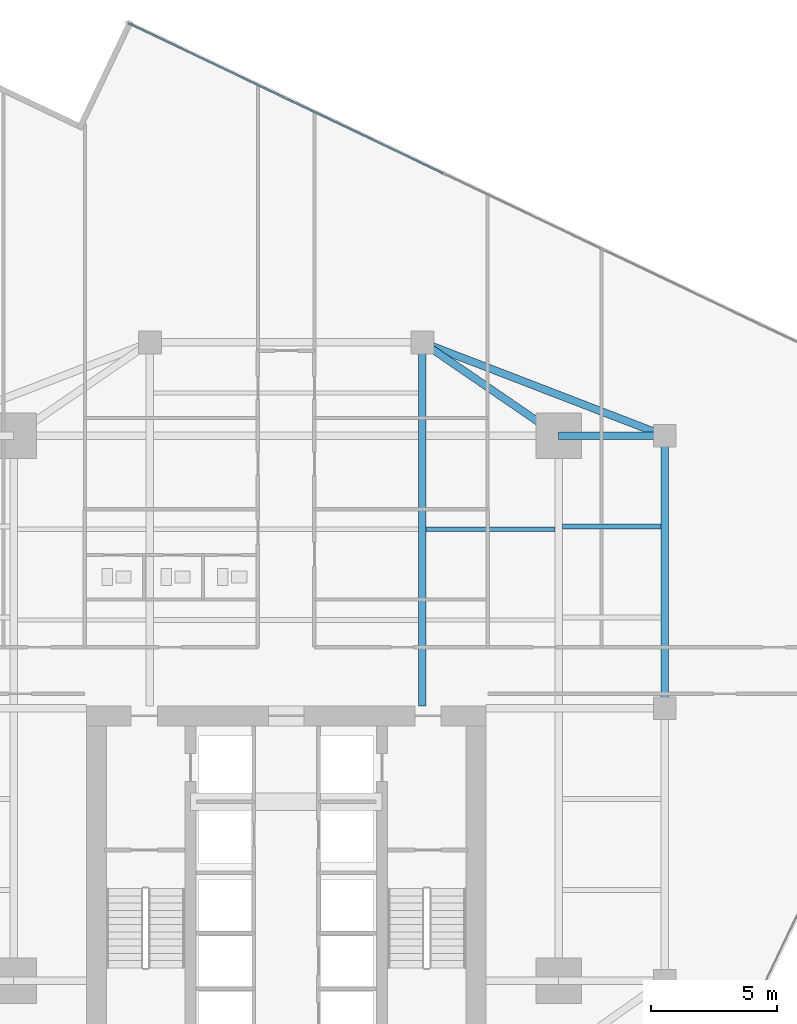
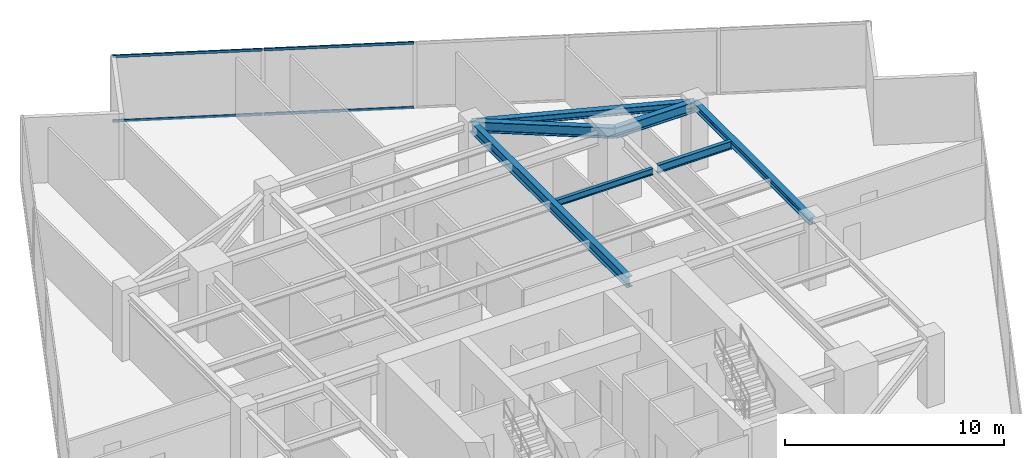
# One storey, part 17 of 25: 7 beams, 4 members, 1 element without a shape of its own.
"""IFC4 building model written with IfcOpenShell, lengths in metres."""

from ifc_helpers import new_model, si_unit, direction, frame, origin, origin_2d, place, context, subcontext, project, spatial, hollow_rectangle, i_section, extrude, source, transform, mapped, material, material_profile, profile_set, type_object, type_shapes, element, aggregate, save


model = new_model("IFC4")

# Units and contexts
model_context = context("Model", 3, precision=1e-05, world=origin(), true_north=direction((0.0, 1.0)))
body_context = subcontext(model_context, "Body", "Model", "MODEL_VIEW")
ifc_project = project(units=[si_unit("LENGTHUNIT", "METRE"), si_unit("AREAUNIT", "SQUARE_METRE"), si_unit("VOLUMEUNIT", "CUBIC_METRE"), si_unit("PLANEANGLEUNIT", "RADIAN"), si_unit("MASSUNIT", "GRAM", prefix="KILO")], contexts=[model_context])

# Site, building, storey
site_placement = place(None, origin())
site = spatial("IfcSite", under=ifc_project, at=site_placement, CompositionType="ELEMENT")
building_placement = place(site_placement, origin())
building = spatial("IfcBuilding", under=site, at=building_placement, Name="Krantzveldt Concourse Tower", CompositionType="ELEMENT")
storey_placement = place(building_placement, frame((0.0, 0.0, 146.199951171875)))
storey = spatial("IfcBuildingStorey", under=building, at=storey_placement, Name="L35", CompositionType="ELEMENT", Elevation=146.199951171875)

# Beams
ifc_material_1 = material(Name="Steel S355JR", Category="steel")
ifc_material_profile_1 = material_profile(ifc_material_1, i_section(OverallWidth=0.300048828125, OverallDepth=0.590087890625, WebThickness=0.012939453125, FlangeThickness=0.02490234375, FilletRadius=0.027099609375, at=origin_2d()), Name="Steel S355JR", Category="steel")
ifc_profile_set_1 = profile_set([ifc_material_profile_1], Name="Steel S355JR - HEA 600")
beam_type_1 = type_object("IfcBeamType", Name="BM-B-HEA600", PredefinedType="BEAM", material=ifc_profile_set_1)
shared_shape_1 = source(origin(), body_context, "Body", "SweptSolid", [
    extrude(i_section(OverallWidth=0.300048828125, OverallDepth=0.590087890625, WebThickness=0.012939453125, FlangeThickness=0.02490234375, FilletRadius=0.027099609375, at=origin_2d()), origin(), (0.0, 0.0, 1.0), 14.39990234375),
])
beam_1_placement = place(storey_placement, frame((41.39990234375, 26.800048828125, 3.375), z_axis=(0.0, 1.0, 0.0), x_axis=(-1.0, 0.0, 0.0)))
element("IfcBeam", 1, at=beam_1_placement, inside=storey, type_object=beam_type_1, Name="L35 Tower Girder BG-CNE", PredefinedType="BEAM", context=body_context, shape_type="MappedRepresentation", body=[
    mapped(shared_shape_1, transform((0.0, 0.0, 0.0), x_axis=(1.0, 0.0, 0.0), y_axis=(0.0, 1.0, 0.0), z_axis=(0.0, 0.0, 1.0), scale=1.0)),
])
shared_shape_2 = source(origin(), body_context, "Body", "SweptSolid", [
    extrude(i_section(OverallWidth=0.300048828125, OverallDepth=0.590087890625, WebThickness=0.012939453125, FlangeThickness=0.02490234375, FilletRadius=0.027099609375, at=origin_2d()), origin(), (0.0, 0.0, 1.0), 4.199951171875),
])
beam_2_placement = place(storey_placement, frame((46.800048828125, 37.5, 3.375), z_axis=(1.0, 0.0, 0.0), x_axis=(0.0, 1.0, 0.0)))
element("IfcBeam", 2, at=beam_2_placement, inside=storey, type_object=beam_type_1, Name="L35 Tower Girder BR-RR3", PredefinedType="BEAM", context=body_context, shape_type="MappedRepresentation", body=[
    mapped(shared_shape_2, transform((0.0, 0.0, 0.0), x_axis=(1.0, 0.0, 0.0), y_axis=(0.0, 1.0, 0.0), z_axis=(0.0, 0.0, 1.0), scale=1.0)),
])
shared_shape_3 = source(origin(), body_context, "Body", "SweptSolid", [
    extrude(i_section(OverallWidth=0.300048828125, OverallDepth=0.590087890625, WebThickness=0.012939453125, FlangeThickness=0.02490234375, FilletRadius=0.027099609375, at=origin_2d()), origin(), (0.0, 0.0, 1.0), 6.546142578125),
])
type_shapes(beam_type_1, [shared_shape_1, shared_shape_2, shared_shape_3])
beam_3_placement = place(storey_placement, frame((46.800048828125, 37.5, 3.375), z_axis=(-0.824942999484, 0.565215930068, 0.0), x_axis=(-0.565215930068, -0.824942999484, 0.0)))
element("IfcBeam", 3, at=beam_3_placement, inside=storey, type_object=beam_type_1, Name="L35 Tower Girder BR-RR4", PredefinedType="BEAM", context=body_context, shape_type="MappedRepresentation", body=[
    mapped(shared_shape_3, transform((0.0, 0.0, 0.0), x_axis=(1.0, 0.0, 0.0), y_axis=(0.0, 1.0, 0.0), z_axis=(0.0, 0.0, 1.0), scale=1.0)),
])
ifc_material_profile_2 = material_profile(ifc_material_1, i_section(OverallWidth=0.300048828125, OverallDepth=0.389892578125, WebThickness=0.010986328125, FlangeThickness=0.01904296875, FilletRadius=0.027099609375, at=origin_2d()), Name="Steel S355JR", Category="steel")
ifc_profile_set_2 = profile_set([ifc_material_profile_2], Name="Steel S355JR - HEA 400")
beam_type_2 = type_object("IfcBeamType", Name="BM-SP-HEA400", PredefinedType="SPANDREL", material=ifc_profile_set_2)
shared_shape_4 = source(origin(), body_context, "Body", "SweptSolid", [
    extrude(i_section(OverallWidth=0.300048828125, OverallDepth=0.389892578125, WebThickness=0.010986328125, FlangeThickness=0.01904296875, FilletRadius=0.027099609375, at=origin_2d()), origin(), (0.0, 0.0, 1.0), 10.800048828125),
])
beam_4_placement = place(storey_placement, frame((51.0, 37.5, 3.47509765625), z_axis=(0.0, -1.0, 0.0), x_axis=(1.0, 0.0, 0.0)))
element("IfcBeam", 4, at=beam_4_placement, inside=storey, type_object=beam_type_2, Name="L35 Tower Girder SP-R06", PredefinedType="SPANDREL", context=body_context, shape_type="MappedRepresentation", body=[
    mapped(shared_shape_4, transform((0.0, 0.0, 0.0), x_axis=(1.0, 0.0, 0.0), y_axis=(0.0, 1.0, 0.0), z_axis=(0.0, 0.0, 1.0), scale=1.0)),
])
shared_shape_5 = source(origin(), body_context, "Body", "SweptSolid", [
    extrude(i_section(OverallWidth=0.300048828125, OverallDepth=0.389892578125, WebThickness=0.010986328125, FlangeThickness=0.01904296875, FilletRadius=0.027099609375, at=origin_2d()), origin(), (0.0, 0.0, 1.0), 10.288330078125),
])
type_shapes(beam_type_2, [shared_shape_4, shared_shape_5])
beam_5_placement = place(storey_placement, frame((41.39990234375, 41.199951171875, 3.47509765625), z_axis=(0.933097690408, -0.359622997257, 0.0), x_axis=(0.359622997257, 0.933097690408, 0.0)))
element("IfcBeam", 5, at=beam_5_placement, inside=storey, type_object=beam_type_2, Name="L35 Tower Girder SP-R05", PredefinedType="SPANDREL", context=body_context, shape_type="MappedRepresentation", body=[
    mapped(shared_shape_5, transform((0.0, 0.0, 0.0), x_axis=(1.0, 0.0, 0.0), y_axis=(0.0, 1.0, 0.0), z_axis=(0.0, 0.0, 1.0), scale=1.0)),
])
ifc_material_profile_3 = material_profile(ifc_material_1, i_section(OverallWidth=0.169921875, OverallDepth=0.360107421875, WebThickness=0.008056640625, FlangeThickness=0.0126953125, FilletRadius=0.01806640625, at=origin_2d()), Name="Steel S355JR", Category="steel")
ifc_profile_set_3 = profile_set([ifc_material_profile_3], Name="Steel S355JR - IPE 360")
beam_type_3 = type_object("IfcBeamType", Name="BM-J-IPE360", PredefinedType="JOIST", material=ifc_profile_set_3)
shared_shape_6 = source(origin(), body_context, "Body", "SweptSolid", [
    extrude(i_section(OverallWidth=0.169921875, OverallDepth=0.360107421875, WebThickness=0.008056640625, FlangeThickness=0.0126953125, FilletRadius=0.01806640625, at=origin_2d()), origin(), (0.0, 0.0, 1.0), 5.099853515625),
])
type_shapes(beam_type_3, [shared_shape_6])
beam_6_placement = place(storey_placement, frame((41.550048828125, 33.800048828125, 3.489990234375), z_axis=(1.0, 0.0, 0.0), x_axis=(0.0, 1.0, 0.0)))
element("IfcBeam", 6, at=beam_6_placement, inside=storey, type_object=beam_type_3, Name="L35 Secondary Floor Joist JN-E2", PredefinedType="JOIST", context=body_context, shape_type="MappedRepresentation", body=[
    mapped(shared_shape_6, transform((0.0, 0.0, 0.0), x_axis=(1.0, 0.0, 0.0), y_axis=(0.0, 1.0, 0.0), z_axis=(0.0, 0.0, 1.0), scale=1.0)),
])
ifc_material_profile_4 = material_profile(ifc_material_1, i_section(OverallWidth=0.18994140625, OverallDepth=0.449951171875, WebThickness=0.009521484375, FlangeThickness=0.0146484375, FilletRadius=0.02099609375, at=origin_2d()), Name="Steel S355JR", Category="steel")
ifc_profile_set_4 = profile_set([ifc_material_profile_4], Name="Steel S355JR - IPE 450")
beam_type_4 = type_object("IfcBeamType", Name="BM-J-IPE450", PredefinedType="JOIST", material=ifc_profile_set_4)
shared_shape_7 = source(origin(), body_context, "Body", "SweptSolid", [
    extrude(i_section(OverallWidth=0.18994140625, OverallDepth=0.449951171875, WebThickness=0.009521484375, FlangeThickness=0.0146484375, FilletRadius=0.02099609375, at=origin_2d()), origin(), (0.0, 0.0, 1.0), 3.900146484375),
])
type_shapes(beam_type_4, [shared_shape_7])
beam_7_placement = place(storey_placement, frame((46.949951171875, 33.89990234375, 3.445068359375), z_axis=(1.0, 0.0, 0.0), x_axis=(0.0, 1.0, 0.0)))
element("IfcBeam", 7, at=beam_7_placement, inside=storey, type_object=beam_type_4, Name="L35 Secondary Floor Joist JE-4", PredefinedType="JOIST", context=body_context, shape_type="MappedRepresentation", body=[
    mapped(shared_shape_7, transform((0.0, 0.0, 0.0), x_axis=(1.0, 0.0, 0.0), y_axis=(0.0, 1.0, 0.0), z_axis=(0.0, 0.0, 1.0), scale=1.0)),
])

# Curtain wall, members
ifc_material_2 = material(Name="Anodised aluminium 6063-T6", Category="aluminium")
curtain_wall_type = type_object("IfcCurtainWallType", Name="CW3", PredefinedType="USERDEFINED", material=ifc_material_2)
curtain_wall_placement = place(storey_placement, origin())
curtain_wall = element("IfcCurtainWall", 8, at=curtain_wall_placement, inside=storey, type_object=curtain_wall_type, Name="CW-L35-F10", ObjectType="UNITISED CURTAIN WALL", PredefinedType="USERDEFINED")
ifc_material_profile_5 = material_profile(ifc_material_2, hollow_rectangle(XDim=0.070068359375, YDim=0.139892578125, WallThickness=0.0048828125, at=origin_2d()), Name="Anodised aluminium 6063-T6", Category="aluminium")
ifc_profile_set_5 = profile_set([ifc_material_profile_5], Name="Anodised aluminium 6063-T6 - ALU-TRAN 140x70x5")
member_type = type_object("IfcMemberType", Name="CW-TRN-150", PredefinedType="USERDEFINED", material=ifc_profile_set_5)
shared_shape_8 = source(origin(), body_context, "Body", "SweptSolid", [
    extrude(hollow_rectangle(XDim=0.070068359375, YDim=0.139892578125, WallThickness=0.0048828125, at=origin_2d()), origin(), (0.0, 0.0, 1.0), 6.85498046875),
])
member_1_placement = place(storey_placement, frame((35.934814453125, 50.89501953125, 0.03515625), z_axis=(-0.902585158764, 0.430511360105, 0.0), x_axis=(-0.430511360105, -0.902585158764, 0.0)))
member_1 = element("IfcMember", 9, at=member_1_placement, type_object=member_type, Name="CW-Z34 transom 5.1", ObjectType="TRANSOM", PredefinedType="USERDEFINED", context=body_context, shape_type="MappedRepresentation", body=[
    mapped(shared_shape_8, transform((0.0, 0.0, 0.0), x_axis=(1.0, 0.0, 0.0), y_axis=(0.0, 1.0, 0.0), z_axis=(0.0, 0.0, 1.0), scale=1.0)),
])
member_2_placement = place(storey_placement, frame((35.934814453125, 50.89501953125, 3.635009765625), z_axis=(-0.902585158764, 0.430511360105, 0.0), x_axis=(-0.430511360105, -0.902585158764, 0.0)))
member_2 = element("IfcMember", 10, at=member_2_placement, type_object=member_type, Name="CW-Z34 transom 5.2", ObjectType="TRANSOM", PredefinedType="USERDEFINED", context=body_context, shape_type="MappedRepresentation", body=[
    mapped(shared_shape_8, transform((0.0, 0.0, 0.0), x_axis=(1.0, 0.0, 0.0), y_axis=(0.0, 1.0, 0.0), z_axis=(0.0, 0.0, 1.0), scale=1.0)),
])
shared_shape_9 = source(origin(), body_context, "Body", "SweptSolid", [
    extrude(hollow_rectangle(XDim=0.070068359375, YDim=0.139892578125, WallThickness=0.0048828125, at=origin_2d()), origin(), (0.0, 0.0, 1.0), 6.889892578125),
])
type_shapes(member_type, [shared_shape_8, shared_shape_9])
member_3_placement = place(storey_placement, frame((42.216796875, 47.898681640625, 0.03515625), z_axis=(-0.902592454673, 0.430496063592, 0.0), x_axis=(-0.430496063592, -0.902592454673, 0.0)))
member_3 = element("IfcMember", 11, at=member_3_placement, type_object=member_type, Name="CW-Z34 transom 4.1", ObjectType="TRANSOM", PredefinedType="USERDEFINED", context=body_context, shape_type="MappedRepresentation", body=[
    mapped(shared_shape_9, transform((0.0, 0.0, 0.0), x_axis=(1.0, 0.0, 0.0), y_axis=(0.0, 1.0, 0.0), z_axis=(0.0, 0.0, 1.0), scale=1.0)),
])
member_4_placement = place(storey_placement, frame((42.216796875, 47.898681640625, 3.635009765625), z_axis=(-0.902592454673, 0.430496063592, 0.0), x_axis=(-0.430496063592, -0.902592454673, 0.0)))
member_4 = element("IfcMember", 12, at=member_4_placement, type_object=member_type, Name="CW-Z34 transom 4.2", ObjectType="TRANSOM", PredefinedType="USERDEFINED", context=body_context, shape_type="MappedRepresentation", body=[
    mapped(shared_shape_9, transform((0.0, 0.0, 0.0), x_axis=(1.0, 0.0, 0.0), y_axis=(0.0, 1.0, 0.0), z_axis=(0.0, 0.0, 1.0), scale=1.0)),
])
aggregate(curtain_wall, [member_3, member_4, member_1, member_2])

save(model, "model.ifc")
